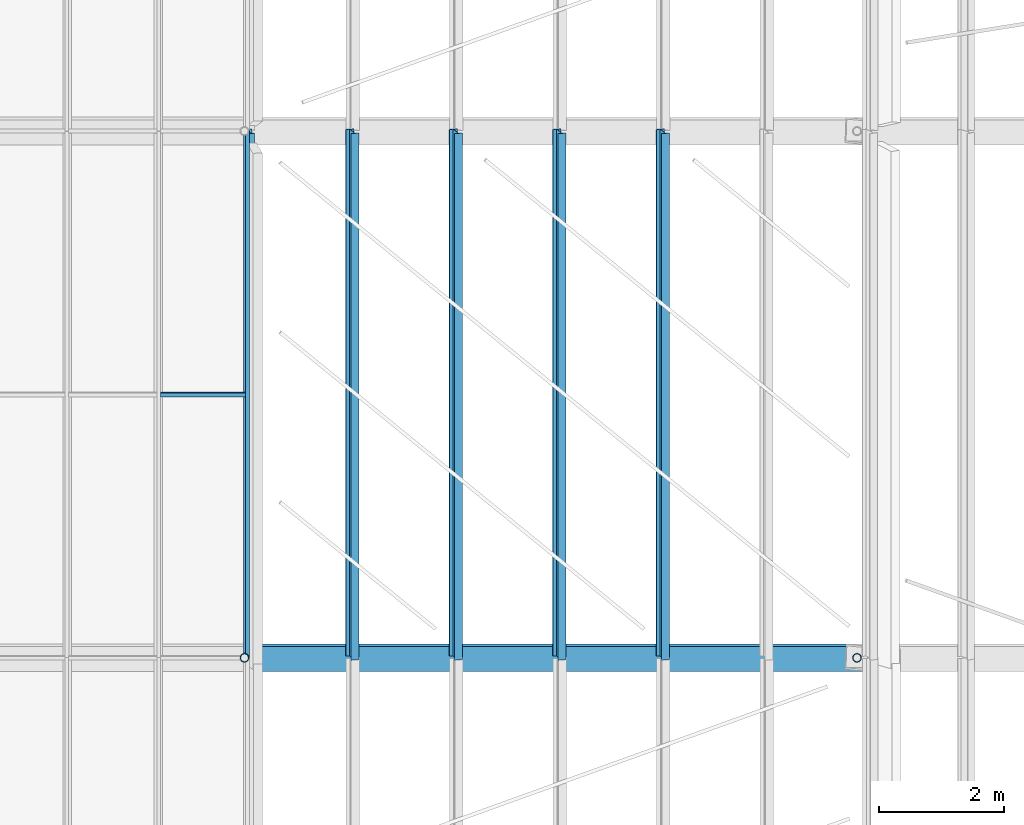
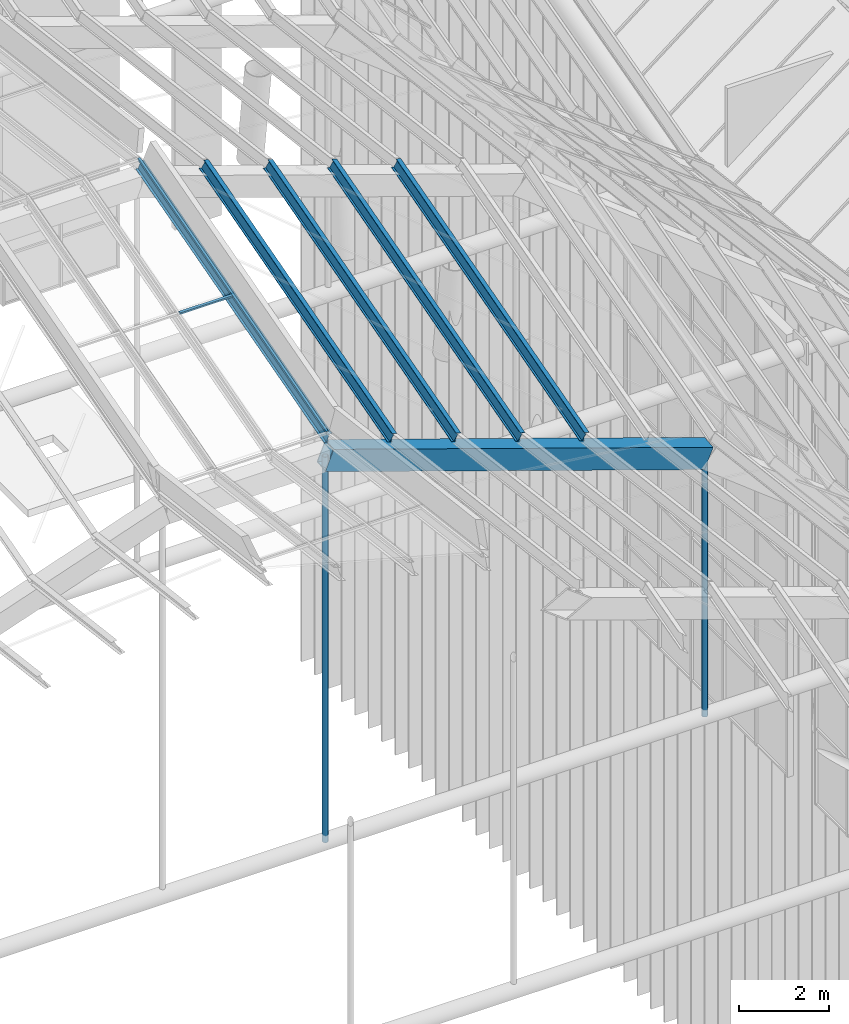
# One storey, part 42 of 126: 9 members, 1 beam.
"""IFC4 building model written with IfcOpenShell, lengths in metres."""

from ifc_helpers import new_model, si_unit, direction, frame, origin, origin_2d, place, context, subcontext, project, spatial, polyline, rectangle, hollow_circle, i_section, outline, extrude, material, material_profile, profile_set, type_object, element, save


model = new_model("IFC4")

# Units and contexts
model_context = context("Model", 3, precision=1e-05, world=origin(), true_north=direction((0.0, 1.0)))
body_context = subcontext(model_context, "Body", "Model", "MODEL_VIEW")
ifc_project = project(units=[si_unit("LENGTHUNIT", "METRE"), si_unit("AREAUNIT", "SQUARE_METRE"), si_unit("VOLUMEUNIT", "CUBIC_METRE"), si_unit("PLANEANGLEUNIT", "RADIAN"), si_unit("MASSUNIT", "GRAM", prefix="KILO")], contexts=[model_context])

# Site, building, storey
site_placement = place(None, origin())
site = spatial("IfcSite", under=ifc_project, at=site_placement, CompositionType="ELEMENT")
building_placement = place(site_placement, origin())
building = spatial("IfcBuilding", under=site, at=building_placement, Name="Sava Quay Ferry Terminal", CompositionType="ELEMENT")
storey_placement = place(building_placement, frame((0.0, 0.0, 15.0)))
storey = spatial("IfcBuildingStorey", under=building, at=storey_placement, Name="L03", CompositionType="ELEMENT", Elevation=15.0)

# Beam
ifc_material_1 = material(Name="Steel S355", Category="steel")
ifc_material_profile_1 = material_profile(ifc_material_1, outline(polyline([(-0.199951171875, -0.300048828125), (0.199951171875, -0.300048828125), (0.199951171875, 0.300048828125), (-0.199951171875, 0.300048828125), (-0.199951171875, -0.300048828125)]), holes=[polyline([(-0.175048828125, -0.27490234375), (-0.175048828125, 0.27490234375), (0.175048828125, 0.27490234375), (0.175048828125, -0.27490234375), (-0.175048828125, -0.27490234375)])]), Name="Box 600x400x25 built-up")
ifc_profile_set_1 = profile_set([ifc_material_profile_1], Name="Steel S355")
beam_type = type_object("IfcBeamType", Name="D folded rib Box 600x400x25", PredefinedType="BEAM", material=ifc_profile_set_1)
beam_placement = place(storey_placement, frame((65.10009765625, 67.199951171875, 20.211181640625), z_axis=(0.945520775213, 0.0, -0.325561766247), x_axis=(0.02317123021, 0.997463981395, 0.06729561583)))
element("IfcBeam", 1, at=beam_placement, inside=storey, type_object=beam_type, Name="Departure hall folded rib R2 seg 4", PredefinedType="BEAM", context=body_context, shape_type="SweptSolid", body=[
    extrude(outline(polyline([(-0.199951171875, -0.300048828125), (0.199951171875, -0.300048828125), (0.199951171875, 0.300048828125), (-0.199951171875, 0.300048828125), (-0.199951171875, -0.300048828125)]), holes=[polyline([(-0.175048828125, -0.27490234375), (-0.175048828125, 0.27490234375), (0.175048828125, 0.27490234375), (0.175048828125, -0.27490234375), (-0.175048828125, -0.27490234375)])]), origin(), (0.0, 0.0, 1.0), 10.3330078125),
])

# Members
ifc_material_2 = material(Name="Aluminium EN AW-6063 T6", Category="aluminium")
ifc_material_profile_2 = material_profile(ifc_material_2, rectangle(XDim=0.06005859375, YDim=0.06005859375, at=origin_2d()), Name="Bar 60 x 60")
ifc_profile_set_2 = profile_set([ifc_material_profile_2], Name="Aluminium EN AW-6063 T6")
member_type_1 = type_object("IfcMemberType", Name="Glazing bar 60x60", PredefinedType="USERDEFINED", material=ifc_profile_set_2)
member_1_placement = place(storey_placement, frame((65.14697265625, 67.199951171875, 20.83447265625), z_axis=(0.0, 0.962818275279, 0.270149900588), x_axis=(-1.0, 0.0, 0.0)))
element("IfcMember", 2, at=member_1_placement, inside=storey, type_object=member_type_1, Name="Departure hall glazing bar D-B2-GL2.3", ObjectType="GLAZING BAR", PredefinedType="USERDEFINED", context=body_context, shape_type="SweptSolid", body=[
    extrude(rectangle(XDim=0.06005859375, YDim=0.06005859375, at=origin_2d()), origin(), (0.0, 0.0, 1.0), 8.724609375),
])
member_2_placement = place(storey_placement, frame((63.76220703125, 71.39990234375, 22.012939453125), z_axis=(1.0, 0.0, 0.0), x_axis=(0.0, 0.962815070048, 0.270161323822)))
element("IfcMember", 3, at=member_2_placement, inside=storey, type_object=member_type_1, Name="Departure hall glazing bar D-B2M-GT2.2", ObjectType="GLAZING BAR", PredefinedType="USERDEFINED", context=body_context, shape_type="SweptSolid", body=[
    extrude(rectangle(XDim=0.06005859375, YDim=0.06005859375, at=origin_2d()), origin(), (0.0, 0.0, 1.0), 1.354736328125),
])
ifc_material_3 = material(Name="Steel S355", Category="steel")
ifc_material_profile_3 = material_profile(ifc_material_3, i_section(OverallWidth=0.135009765625, OverallDepth=0.27001953125, WebThickness=0.006591796875, FlangeThickness=0.01025390625, at=origin_2d()), Name="IPE 270")
ifc_profile_set_3 = profile_set([ifc_material_profile_3], Name="Steel S355")
member_type_2 = type_object("IfcMemberType", Name="Roof purlin IPE 270", PredefinedType="PURLIN", material=ifc_profile_set_3)
for number, where, z_axis, x_axis, name in (
    (4, (65.170166015625, 67.199951171875, 20.6630859375), (0.0, 0.962818275279, 0.270149900588), (-0.987217634461, -0.043055946895, 0.15345203696), "Departure hall purlin bay 3 V3"),
    (5, (66.821044921875, 67.199951171875, 20.0947265625), (0.0, 0.962818275279, 0.270149900588), (-0.949197315574, -0.08501118009, 0.302981113877), "Departure hall purlin bay 3 M3.1"),
    (6, (68.4716796875, 67.199951171875, 19.526123046875), (0.0, 0.962810996405, 0.270175841262), (-0.949197315574, -0.085019343141, 0.30297882335), "Departure hall purlin bay 3 M3.2"),
    (7, (70.122314453125, 67.199951171875, 18.957763671875), (0.0, 0.962810996405, 0.270175841262), (-0.949197315574, -0.085019343141, 0.30297882335), "Departure hall purlin bay 3 M3.3"),
    (8, (71.773193359375, 67.199951171875, 18.389404296875), (0.0, 0.962810996405, 0.270175841262), (-0.949197315574, -0.085019343141, 0.30297882335), "Departure hall purlin bay 3 M3.4"),
):
    element("IfcMember", number, at=place(storey_placement, frame(where, z_axis=z_axis, x_axis=x_axis)), inside=storey, type_object=member_type_2, Name=name, PredefinedType="PURLIN", context=body_context, shape_type="SweptSolid", body=[
        extrude(i_section(OverallWidth=0.135009765625, OverallDepth=0.27001953125, WebThickness=0.006591796875, FlangeThickness=0.01025390625, at=origin_2d()), origin(), (0.0, 0.0, 1.0), 8.724609375),
    ])
ifc_material_4 = material(Name="Steel S355", Category="steel")
ifc_material_profile_4 = material_profile(ifc_material_4, hollow_circle(Radius=0.06982421875, WallThickness=0.008056640625, at=origin_2d()), Name="CHS 139.7 x 8.0")
ifc_profile_set_4 = profile_set([ifc_material_profile_4], Name="Steel S355")
member_type_3 = type_object("IfcMemberType", Name="Tie hanger CHS 139.7x8", PredefinedType="USERDEFINED", material=ifc_profile_set_4)
member_3_placement = place(storey_placement, frame((65.10009765625, 67.199951171875, 9.714111328125), z_axis=(0.0, 0.0, 1.0), x_axis=(1.0, 0.0, 0.0)))
element("IfcMember", 9, at=member_3_placement, inside=storey, type_object=member_type_3, Name="Departure hall tie hanger R2 V3", ObjectType="TIE HANGER", PredefinedType="USERDEFINED", context=body_context, shape_type="SweptSolid", body=[
    extrude(hollow_circle(Radius=0.06982421875, WallThickness=0.008056640625, at=origin_2d()), origin(), (0.0, 0.0, 1.0), 10.4970703125),
])
member_4_placement = place(storey_placement, frame((74.8701171875, 67.199951171875, 9.714111328125), z_axis=(0.0, 0.0, 1.0), x_axis=(1.0, 0.0, 0.0)))
element("IfcMember", 10, at=member_4_placement, inside=storey, type_object=member_type_3, Name="Departure hall tie hanger R2 V4", ObjectType="TIE HANGER", PredefinedType="USERDEFINED", context=body_context, shape_type="SweptSolid", body=[
    extrude(hollow_circle(Radius=0.06982421875, WallThickness=0.008056640625, at=origin_2d()), origin(), (0.0, 0.0, 1.0), 7.133056640625),
])

save(model, "model.ifc")
